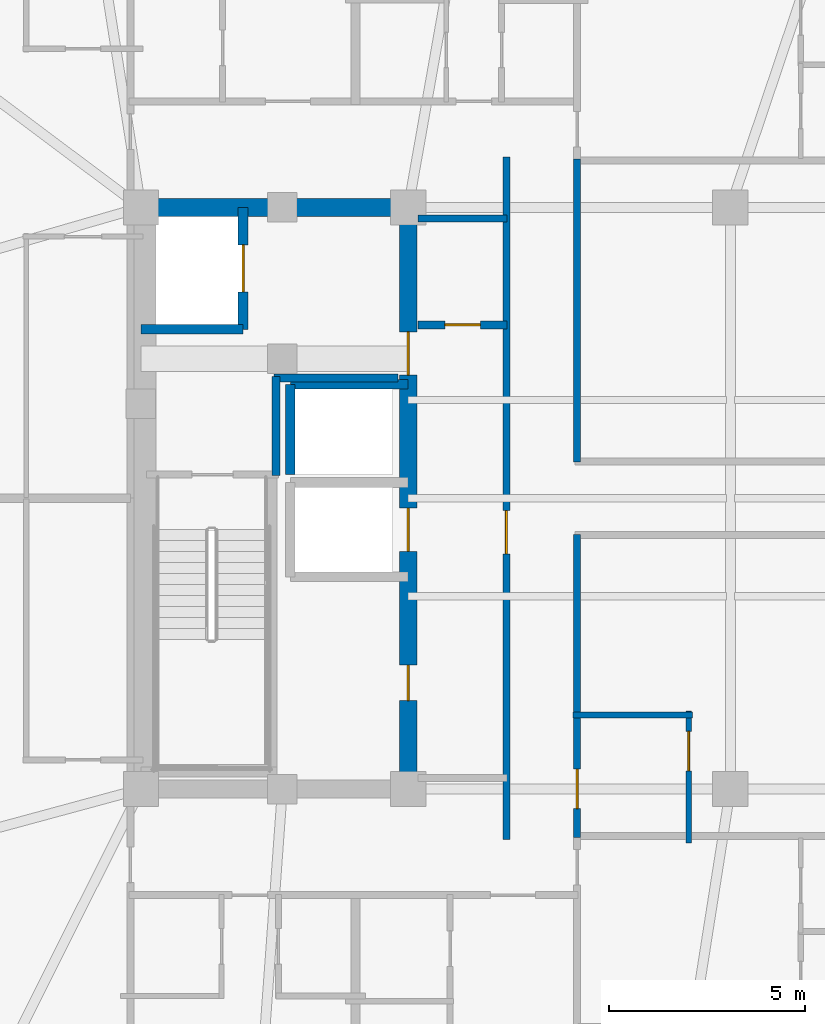
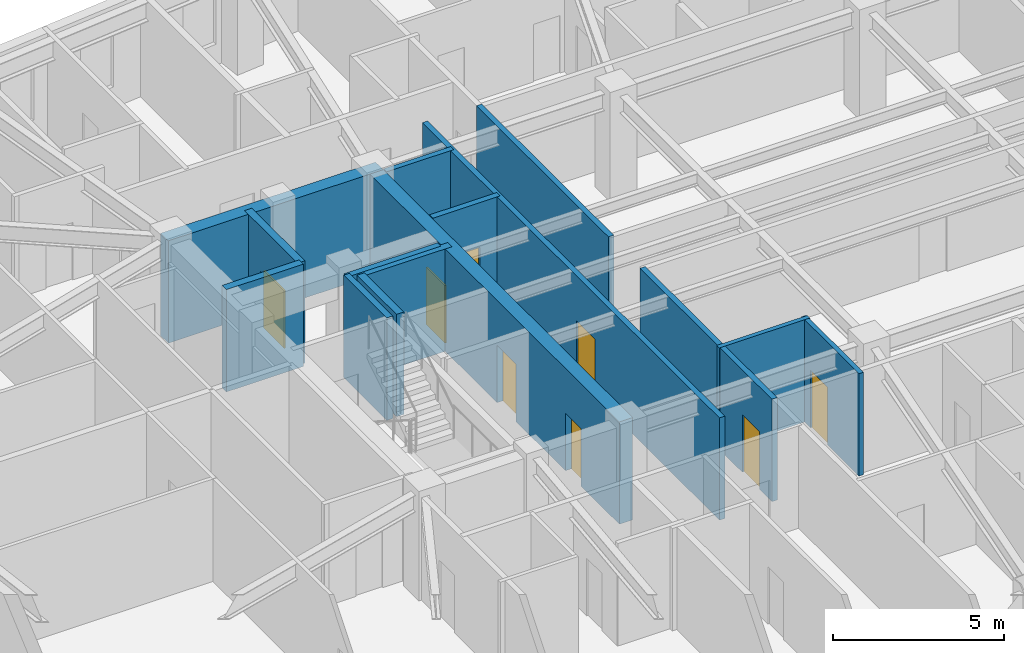
# One storey, part 4 of 12: 15 walls, 8 doors, 8 openings.
"""IFC4 building model written with IfcOpenShell, lengths in metres."""

from ifc_helpers import new_model, si_unit, direction, frame, frame_2d, origin, place, context, subcontext, project, spatial, rectangle, extrude, material, layer, layer_set, type_object, element, fill, save


model = new_model("IFC4")

# Units and contexts
model_context = context("Model", 3, precision=1e-05, world=origin(), true_north=direction((0.0, 1.0)))
body_context = subcontext(model_context, "Body", "Model", "MODEL_VIEW")
ifc_project = project(units=[si_unit("LENGTHUNIT", "METRE"), si_unit("AREAUNIT", "SQUARE_METRE"), si_unit("VOLUMEUNIT", "CUBIC_METRE"), si_unit("PLANEANGLEUNIT", "RADIAN"), si_unit("MASSUNIT", "GRAM", prefix="KILO")], contexts=[model_context])

# Site, building, storey
site_placement = place(None, origin())
site = spatial("IfcSite", under=ifc_project, at=site_placement, CompositionType="ELEMENT")
building_placement = place(site_placement, origin())
building = spatial("IfcBuilding", under=site, at=building_placement, Name="Voryun Gate Residences", CompositionType="ELEMENT")
storey_placement = place(building_placement, frame((0.0, 0.0, 179.39990234375)))
storey = spatial("IfcBuildingStorey", under=building, at=storey_placement, Name="L44", CompositionType="ELEMENT", Elevation=179.39990234375)

# Wall
ifc_material_1 = material(Name="Concrete C50/60", Category="concrete")
ifc_layer_1 = layer(ifc_material_1, 0.449951171875, Name="CW_CORE_450")
ifc_layer_set_1 = layer_set([ifc_layer_1], Name="Concrete C50/60")
wall_type_1 = type_object("IfcWallType", Name="CW_CORE_450", PredefinedType="SHEAR", material=ifc_layer_set_1)
wall_1_placement = place(storey_placement, frame((-19.425048828125, 7.39990234375, 0.0), z_axis=(0.0, 0.0, 1.0), x_axis=(1.0, 0.0, 0.0)))
element("IfcWall", 1, at=wall_1_placement, inside=storey, type_object=wall_type_1, Name="L44 Core shear wall CW-L44-WN", PredefinedType="SHEAR", context=body_context, shape_type="SweptSolid", body=[
    extrude(rectangle(XDim=7.25, YDim=0.449951171875, at=frame_2d((3.625, 0.0))), origin(), (0.0, 0.0, 1.0), 3.650146484375),
])

# Wall, openings, doors
wall_2_placement = place(storey_placement, frame((-12.39990234375, -7.39990234375, 0.0), z_axis=(0.0, 0.0, 1.0), x_axis=(0.0, 1.0, 0.0)))
wall_2 = element("IfcWall", 2, at=wall_2_placement, inside=storey, type_object=wall_type_1, Name="L44 Core shear wall CW-L44-WE", PredefinedType="SHEAR", context=body_context, shape_type="SweptSolid", body=[
    extrude(rectangle(XDim=14.7998046875, YDim=0.449951171875, at=frame_2d((7.39990234375, 0.0))), origin(), (0.0, 0.0, 1.0), 3.650146484375),
])
opening_1_placement = place(wall_2_placement, frame((6.050048828125, 0.0, 0.0)))
opening_1 = element("IfcOpeningElement", 3, at=opening_1_placement, cuts=wall_2, Name="Opening LD2", PredefinedType="OPENING", context=body_context, shape_type="SweptSolid", body=[
    extrude(rectangle(XDim=1.10009765625, YDim=2.050048828125, at=frame_2d((0.550048828125, 1.02490234375))), frame((0.0, 0.235107421875, 0.0), z_axis=(0.0, -1.0, 0.0), x_axis=(1.0, 0.0, 0.0)), (0.0, 0.0, 1.0), 0.469970703125),
])
opening_2_placement = place(wall_2_placement, frame((10.530029296875, 0.0, 0.0)))
opening_2 = element("IfcOpeningElement", 4, at=opening_2_placement, cuts=wall_2, Name="Opening D-FD60-2", PredefinedType="OPENING", context=body_context, shape_type="SweptSolid", body=[
    extrude(rectangle(XDim=1.10009765625, YDim=2.050048828125, at=frame_2d((0.550048828125, 1.02490234375))), frame((0.0, 0.235107421875, 0.0), z_axis=(0.0, -1.0, 0.0), x_axis=(1.0, 0.0, 0.0)), (0.0, 0.0, 1.0), 0.469970703125),
])
opening_3_placement = place(wall_2_placement, frame((2.25, 0.0, 0.0)))
opening_3 = element("IfcOpeningElement", 5, at=opening_3_placement, cuts=wall_2, Name="Opening D-FD60-4", PredefinedType="OPENING", context=body_context, shape_type="SweptSolid", body=[
    extrude(rectangle(XDim=0.89990234375, YDim=2.050048828125, at=frame_2d((0.449951171875, 1.02490234375))), frame((0.0, 0.235107421875, 0.0), z_axis=(0.0, -1.0, 0.0), x_axis=(1.0, 0.0, 0.0)), (0.0, 0.0, 1.0), 0.469970703125),
])
ifc_material_2 = material(Name="Painted steel fire door", Category="steel")
door_type_1 = type_object("IfcDoorType", Name="DR_FD60_FFLOB_1100", OperationType="NOTDEFINED", PredefinedType="DOOR", material=ifc_material_2)
door_1_placement = place(opening_2_placement, origin())
door_1 = element("IfcDoor", 6, at=door_1_placement, inside=storey, type_object=door_type_1, Name="Door DR-L44-CLOB-W", OperationType="SINGLE_SWING_LEFT", OverallHeight=2.050048828125, OverallWidth=1.10009765625, PredefinedType="DOOR", context=body_context, shape_type="SweptSolid", body=[
    extrude(rectangle(XDim=1.10009765625, YDim=2.050048828125, at=frame_2d((0.550048828125, 1.02490234375))), frame((0.0, 0.02490234375, 0.0), z_axis=(0.0, -1.0, 0.0), x_axis=(1.0, 0.0, 0.0)), (0.0, 0.0, 1.0), 0.050048828125),
])
fill(opening_2, door_1)
ifc_material_3 = material(Name="Painted steel fire door", Category="steel")
door_type_2 = type_object("IfcDoorType", Name="DR_FD60_RISER_900", OperationType="NOTDEFINED", PredefinedType="DOOR", material=ifc_material_3)
door_2_placement = place(opening_3_placement, origin())
door_2 = element("IfcDoor", 7, at=door_2_placement, inside=storey, type_object=door_type_2, Name="Door DR-L44-RECW1", OperationType="SINGLE_SWING_LEFT", OverallHeight=2.050048828125, OverallWidth=0.89990234375, PredefinedType="DOOR", context=body_context, shape_type="SweptSolid", body=[
    extrude(rectangle(XDim=0.89990234375, YDim=2.050048828125, at=frame_2d((0.449951171875, 1.02490234375))), frame((0.0, 0.02490234375, 0.0), z_axis=(0.0, -1.0, 0.0), x_axis=(1.0, 0.0, 0.0)), (0.0, 0.0, 1.0), 0.050048828125),
])
fill(opening_3, door_2)
ifc_material_4 = material(Name="Anodised aluminium", Category="aluminium")
door_type_3 = type_object("IfcDoorType", Name="DR_LD_PASS_1100", OperationType="NOTDEFINED", PredefinedType="DOOR", material=ifc_material_4)
door_3_placement = place(opening_1_placement, origin())
door_3 = element("IfcDoor", 8, at=door_3_placement, inside=storey, type_object=door_type_3, Name="Lift EL-P4 sliding landing door L44", OperationType="SLIDING_TO_LEFT", OverallHeight=2.050048828125, OverallWidth=1.10009765625, PredefinedType="DOOR", context=body_context, shape_type="SweptSolid", body=[
    extrude(rectangle(XDim=1.10009765625, YDim=2.050048828125, at=frame_2d((0.550048828125, 1.02490234375))), frame((0.0, 0.02490234375, 0.0), z_axis=(0.0, -1.0, 0.0), x_axis=(1.0, 0.0, 0.0)), (0.0, 0.0, 1.0), 0.050048828125),
])
fill(opening_1, door_3)

# Wall
ifc_material_5 = material(Name="Gypsum acoustic fireboard")
ifc_layer_2 = layer(ifc_material_5, 0.179931640625, Name="W_CORR_RATED_180")
ifc_layer_set_2 = layer_set([ifc_layer_2], Name="Gypsum acoustic fireboard")
wall_type_2 = type_object("IfcWallType", Name="W_CORR_RATED_180", PredefinedType="PARTITIONING", material=ifc_layer_set_2)
wall_3_placement = place(storey_placement, frame((-12.14990234375, 7.1201171875, 0.0), z_axis=(0.0, 0.0, 1.0), x_axis=(1.0, 0.0, 0.0)))
element("IfcWall", 9, at=wall_3_placement, inside=storey, type_object=wall_type_2, Name="Partition wall WP-L44-PLBN-W", PredefinedType="PARTITIONING", context=body_context, shape_type="SweptSolid", body=[
    extrude(rectangle(XDim=2.27001953125, YDim=0.179931640625, at=frame_2d((1.135009765625, 0.0))), origin(), (0.0, 0.0, 1.0), 3.650146484375),
])

# Wall, opening, door
wall_4_placement = place(storey_placement, frame((-9.89990234375, -8.679931640625, 0.0), z_axis=(0.0, 0.0, 1.0), x_axis=(0.0, 1.0, 0.0)))
wall_4 = element("IfcWall", 10, at=wall_4_placement, inside=storey, type_object=wall_type_2, Name="Partition wall WP-L44-PLBW-FULL", PredefinedType="PARTITIONING", context=body_context, shape_type="SweptSolid", body=[
    extrude(rectangle(XDim=17.35986328125, YDim=0.179931640625, at=frame_2d((8.679931640625, 0.0))), origin(), (0.0, 0.0, 1.0), 3.650146484375),
])
opening_4_placement = place(wall_4_placement, frame((7.261962890625, 0.0, 0.0)))
opening_4 = element("IfcOpeningElement", 11, at=opening_4_placement, cuts=wall_4, Name="Opening D-FD60-2", PredefinedType="OPENING", context=body_context, shape_type="SweptSolid", body=[
    extrude(rectangle(XDim=1.10009765625, YDim=2.050048828125, at=frame_2d((0.550048828125, 1.02490234375))), frame((0.0, 0.099853515625, 0.0), z_axis=(0.0, -1.0, 0.0), x_axis=(1.0, 0.0, 0.0)), (0.0, 0.0, 1.0), 0.199951171875),
])
door_4_placement = place(opening_4_placement, origin())
door_4 = element("IfcDoor", 12, at=door_4_placement, inside=storey, type_object=door_type_1, Name="Door DR-L44-PLBW-COR", OperationType="SINGLE_SWING_LEFT", OverallHeight=2.050048828125, OverallWidth=1.10009765625, PredefinedType="DOOR", context=body_context, shape_type="SweptSolid", body=[
    extrude(rectangle(XDim=1.10009765625, YDim=2.050048828125, at=frame_2d((0.550048828125, 1.02490234375))), frame((0.0, 0.02490234375, 0.0), z_axis=(0.0, -1.0, 0.0), x_axis=(1.0, 0.0, 0.0)), (0.0, 0.0, 1.0), 0.050048828125),
])
fill(opening_4, door_4)

# Wall
wall_5_placement = place(storey_placement, frame((-8.10009765625, 0.919921875, 0.0), z_axis=(0.0, 0.0, 1.0), x_axis=(0.0, 1.0, 0.0)))
element("IfcWall", 13, at=wall_5_placement, inside=storey, type_object=wall_type_2, Name="Partition wall WP-L44-Z2WL1", PredefinedType="PARTITIONING", context=body_context, shape_type="SweptSolid", body=[
    extrude(rectangle(XDim=7.7099609375, YDim=0.179931640625, at=frame_2d((3.85498046875, 0.0))), origin(), (0.0, 0.0, 1.0), 3.650146484375),
])

# Wall, opening, door
wall_6_placement = place(storey_placement, frame((-8.10009765625, -8.6298828125, 0.0), z_axis=(0.0, 0.0, 1.0), x_axis=(0.0, 1.0, 0.0)))
wall_6 = element("IfcWall", 14, at=wall_6_placement, inside=storey, type_object=wall_type_2, Name="Partition wall WP-L44-Z2WL2", PredefinedType="PARTITIONING", context=body_context, shape_type="SweptSolid", body=[
    extrude(rectangle(XDim=7.7099609375, YDim=0.179931640625, at=frame_2d((3.85498046875, 0.0))), origin(), (0.0, 0.0, 1.0), 3.650146484375),
])
opening_5_placement = place(wall_6_placement, frame((0.733642578125, 0.0, 0.0)))
opening_5 = element("IfcOpeningElement", 15, at=opening_5_placement, cuts=wall_6, Name="Opening D-AWC-1", PredefinedType="OPENING", context=body_context, shape_type="SweptSolid", body=[
    extrude(rectangle(XDim=1.0, YDim=2.050048828125, at=frame_2d((0.5, 1.02490234375))), frame((0.0, 0.099853515625, 0.0), z_axis=(0.0, -1.0, 0.0), x_axis=(1.0, 0.0, 0.0)), (0.0, 0.0, 1.0), 0.199951171875),
])
ifc_material_6 = material(Name="Architectural oak veneer")
door_type_4 = type_object("IfcDoorType", Name="DR_ACC_WC_1000", OperationType="NOTDEFINED", PredefinedType="DOOR", material=ifc_material_6)
door_5_placement = place(opening_5_placement, origin())
door_5 = element("IfcDoor", 16, at=door_5_placement, inside=storey, type_object=door_type_4, Name="Door DR-L44-CMWC-D", OperationType="SINGLE_SWING_LEFT", OverallHeight=2.050048828125, OverallWidth=1.0, PredefinedType="DOOR", context=body_context, shape_type="SweptSolid", body=[
    extrude(rectangle(XDim=1.0, YDim=2.050048828125, at=frame_2d((0.5, 1.02490234375))), frame((0.0, 0.02490234375, 0.0), z_axis=(0.0, -1.0, 0.0), x_axis=(1.0, 0.0, 0.0)), (0.0, 0.0, 1.0), 0.050048828125),
])
fill(opening_5, door_5)

# Walls
ifc_material_7 = material(Name="Concrete C40/50", Category="concrete")
ifc_layer_3 = layer(ifc_material_7, 0.199951171875, Name="W_FF_LOBBY_200")
ifc_layer_set_3 = layer_set([ifc_layer_3], Name="Concrete C40/50")
wall_type_3 = type_object("IfcWallType", Name="W_FF_LOBBY_200", PredefinedType="PARTITIONING", material=ifc_layer_set_3)
wall_7_placement = place(storey_placement, frame((-15.760009765625, 0.580078125, 0.0), z_axis=(0.0, 0.0, 1.0), x_axis=(0.0, 1.0, 0.0)))
element("IfcWall", 17, at=wall_7_placement, inside=storey, type_object=wall_type_3, Name="Partition wall WP-L44-FFP0-W", PredefinedType="PARTITIONING", context=body_context, shape_type="SweptSolid", body=[
    extrude(rectangle(XDim=2.52001953125, YDim=0.199951171875, at=frame_2d((1.260009765625, 0.0))), origin(), (0.0, 0.0, 1.0), 3.650146484375),
])
wall_8_placement = place(storey_placement, frame((-15.820068359375, 3.06005859375, 0.0), z_axis=(0.0, 0.0, 1.0), x_axis=(1.0, 0.0, 0.0)))
element("IfcWall", 18, at=wall_8_placement, inside=storey, type_object=wall_type_3, Name="Partition wall WP-L44-FFPS-W", PredefinedType="PARTITIONING", context=body_context, shape_type="SweptSolid", body=[
    extrude(rectangle(XDim=3.16015625, YDim=0.199951171875, at=frame_2d((1.580078125, 0.0))), origin(), (0.0, 0.0, 1.0), 3.650146484375),
])

# Wall, opening, door
wall_9_placement = place(storey_placement, frame((-12.14990234375, 4.409912109375, 0.0), z_axis=(0.0, 0.0, 1.0), x_axis=(1.0, 0.0, 0.0)))
wall_9 = element("IfcWall", 19, at=wall_9_placement, inside=storey, type_object=wall_type_3, Name="Partition wall WP-L44-CSFLKS-W", PredefinedType="PARTITIONING", context=body_context, shape_type="SweptSolid", body=[
    extrude(rectangle(XDim=2.27001953125, YDim=0.199951171875, at=frame_2d((1.135009765625, 0.0))), origin(), (0.0, 0.0, 1.0), 3.650146484375),
])
opening_6_placement = place(wall_9_placement, frame((0.68505859375, 0.0, 0.0)))
opening_6 = element("IfcOpeningElement", 20, at=opening_6_placement, cuts=wall_9, Name="Opening D-FD60-4", PredefinedType="OPENING", context=body_context, shape_type="SweptSolid", body=[
    extrude(rectangle(XDim=0.89990234375, YDim=2.050048828125, at=frame_2d((0.449951171875, 1.02490234375))), frame((0.0, 0.110107421875, 0.0), z_axis=(0.0, -1.0, 0.0), x_axis=(1.0, 0.0, 0.0)), (0.0, 0.0, 1.0), 0.219970703125),
])
door_6_placement = place(opening_6_placement, origin())
door_6 = element("IfcDoor", 21, at=door_6_placement, inside=storey, type_object=door_type_2, Name="Door DR-L44-CSFLK-W", OperationType="SINGLE_SWING_LEFT", OverallHeight=2.050048828125, OverallWidth=0.89990234375, PredefinedType="DOOR", context=body_context, shape_type="SweptSolid", body=[
    extrude(rectangle(XDim=0.89990234375, YDim=2.050048828125, at=frame_2d((0.449951171875, 1.02490234375))), frame((0.0, 0.02490234375, 0.0), z_axis=(0.0, -1.0, 0.0), x_axis=(1.0, 0.0, 0.0)), (0.0, 0.0, 1.0), 0.050048828125),
])
fill(opening_6, door_6)

# Wall
ifc_material_8 = material(Name="Concrete C50/60", Category="concrete")
ifc_layer_4 = layer(ifc_material_8, 0.25, Name="W_SHAFT_RC250")
ifc_layer_set_4 = layer_set([ifc_layer_4], Name="Concrete C50/60")
wall_type_4 = type_object("IfcWallType", Name="W_SHAFT_RC250", PredefinedType="SOLIDWALL", material=ifc_layer_set_4)
wall_10_placement = place(storey_placement, frame((-19.199951171875, 4.300048828125, 0.0), z_axis=(0.0, 0.0, 1.0), x_axis=(1.0, 0.0, 0.0)))
element("IfcWall", 22, at=wall_10_placement, inside=storey, type_object=wall_type_4, Name="Lift shaft wall WSH-L44-EL-FF-W1-S", PredefinedType="SOLIDWALL", context=body_context, shape_type="SweptSolid", body=[
    extrude(rectangle(XDim=2.599853515625, YDim=0.25, at=frame_2d((1.2998046875, 0.0))), origin(), (0.0, 0.0, 1.0), 3.650146484375),
])

# Wall, opening, door
wall_11_placement = place(storey_placement, frame((-16.60009765625, 4.300048828125, 0.0), z_axis=(0.0, 0.0, 1.0), x_axis=(0.0, 1.0, 0.0)))
wall_11 = element("IfcWall", 23, at=wall_11_placement, inside=storey, type_object=wall_type_4, Name="Lift shaft wall WSH-L44-EL-FF-W1-E", PredefinedType="SOLIDWALL", context=body_context, shape_type="SweptSolid", body=[
    extrude(rectangle(XDim=3.099853515625, YDim=0.25, at=frame_2d((1.5498046875, 0.0))), origin(), (0.0, 0.0, 1.0), 3.650146484375),
])
opening_7_placement = place(wall_11_placement, frame((0.949951171875, 0.0, 0.0)))
opening_7 = element("IfcOpeningElement", 24, at=opening_7_placement, cuts=wall_11, Name="Opening LD1", PredefinedType="OPENING", context=body_context, shape_type="SweptSolid", body=[
    extrude(rectangle(XDim=1.199951171875, YDim=2.050048828125, at=frame_2d((0.60009765625, 1.02490234375))), frame((0.0, 0.135009765625, 0.0), z_axis=(0.0, -1.0, 0.0), x_axis=(1.0, 0.0, 0.0)), (0.0, 0.0, 1.0), 0.27001953125),
])
ifc_material_9 = material(Name="Anodised aluminium", Category="aluminium")
door_type_5 = type_object("IfcDoorType", Name="DR_LD_FF_1200", OperationType="NOTDEFINED", PredefinedType="DOOR", material=ifc_material_9)
door_7_placement = place(opening_7_placement, origin())
door_7 = element("IfcDoor", 25, at=door_7_placement, inside=storey, type_object=door_type_5, Name="Lift EL-FF-W1 sliding landing door L44", OperationType="SLIDING_TO_LEFT", OverallHeight=2.050048828125, OverallWidth=1.199951171875, PredefinedType="DOOR", context=body_context, shape_type="SweptSolid", body=[
    extrude(rectangle(XDim=1.199951171875, YDim=2.050048828125, at=frame_2d((0.60009765625, 1.02490234375))), frame((0.0, 0.02490234375, 0.0), z_axis=(0.0, -1.0, 0.0), x_axis=(1.0, 0.0, 0.0)), (0.0, 0.0, 1.0), 0.050048828125),
])
fill(opening_7, door_7)

# Walls
wall_12_placement = place(storey_placement, frame((-12.39990234375, 2.89990234375, 0.0), z_axis=(0.0, 0.0, 1.0), x_axis=(-1.0, 0.0, 0.0)))
element("IfcWall", 26, at=wall_12_placement, inside=storey, type_object=wall_type_4, Name="Lift shaft wall WSH-L44-EL-P7-N", PredefinedType="SOLIDWALL", context=body_context, shape_type="SweptSolid", body=[
    extrude(rectangle(XDim=3.0, YDim=0.25, at=frame_2d((1.5, 0.0))), origin(), (0.0, 0.0, 1.0), 3.650146484375),
])
wall_13_placement = place(storey_placement, frame((-15.39990234375, 2.89990234375, 0.0), z_axis=(0.0, 0.0, 1.0), x_axis=(0.0, -1.0, 0.0)))
element("IfcWall", 27, at=wall_13_placement, inside=storey, type_object=wall_type_4, Name="Lift shaft wall WSH-L44-EL-P7-W", PredefinedType="SOLIDWALL", context=body_context, shape_type="SweptSolid", body=[
    extrude(rectangle(XDim=2.2998046875, YDim=0.25, at=frame_2d((1.14990234375, 0.0))), origin(), (0.0, 0.0, 1.0), 3.650146484375),
])

# Wall, opening, door
ifc_material_10 = material(Name="Gypsum moisture-resistant partition")
ifc_layer_5 = layer(ifc_material_10, 0.14990234375, Name="W_WET_PLUMB_150")
ifc_layer_set_5 = layer_set([ifc_layer_5], Name="Gypsum moisture-resistant partition")
wall_type_5 = type_object("IfcWallType", Name="W_WET_PLUMB_150", PredefinedType="PLUMBINGWALL", material=ifc_layer_set_5)
wall_14_placement = place(storey_placement, frame((-5.260009765625, -8.77001953125, 0.0), z_axis=(0.0, 0.0, 1.0), x_axis=(0.0, 1.0, 0.0)))
wall_14 = element("IfcWall", 28, at=wall_14_placement, inside=storey, type_object=wall_type_5, Name="Partition wall WP-L44-CMWCX", PredefinedType="PLUMBINGWALL", context=body_context, shape_type="SweptSolid", body=[
    extrude(rectangle(XDim=3.35009765625, YDim=0.14990234375, at=frame_2d((1.675048828125, 0.0))), origin(), (0.0, 0.0, 1.0), 3.650146484375),
])
opening_8_placement = place(wall_14_placement, frame((1.8349609375, 0.0, 0.0)))
opening_8 = element("IfcOpeningElement", 29, at=opening_8_placement, cuts=wall_14, Name="Opening D-AWC-1", PredefinedType="OPENING", context=body_context, shape_type="SweptSolid", body=[
    extrude(rectangle(XDim=1.0, YDim=2.050048828125, at=frame_2d((0.5, 1.02490234375))), frame((0.0, 0.0849609375, 0.0), z_axis=(0.0, -1.0, 0.0), x_axis=(1.0, 0.0, 0.0)), (0.0, 0.0, 1.0), 0.169921875),
])
door_8_placement = place(opening_8_placement, origin())
door_8 = element("IfcDoor", 30, at=door_8_placement, inside=storey, type_object=door_type_4, Name="Door DR-L44-CMWC", OperationType="SINGLE_SWING_LEFT", OverallHeight=2.050048828125, OverallWidth=1.0, PredefinedType="DOOR", context=body_context, shape_type="SweptSolid", body=[
    extrude(rectangle(XDim=1.0, YDim=2.050048828125, at=frame_2d((0.5, 1.02490234375))), frame((0.0, 0.02490234375, 0.0), z_axis=(0.0, -1.0, 0.0), x_axis=(1.0, 0.0, 0.0)), (0.0, 0.0, 1.0), 0.050048828125),
])
fill(opening_8, door_8)

# Wall
wall_15_placement = place(storey_placement, frame((-8.2099609375, -5.52001953125, 0.0), z_axis=(0.0, 0.0, 1.0), x_axis=(1.0, 0.0, 0.0)))
element("IfcWall", 31, at=wall_15_placement, inside=storey, type_object=wall_type_5, Name="Partition wall WP-L44-CMWCY", PredefinedType="PLUMBINGWALL", context=body_context, shape_type="SweptSolid", body=[
    extrude(rectangle(XDim=3.050048828125, YDim=0.14990234375, at=frame_2d((1.52490234375, 0.0))), origin(), (0.0, 0.0, 1.0), 3.650146484375),
])

save(model, "model.ifc")
